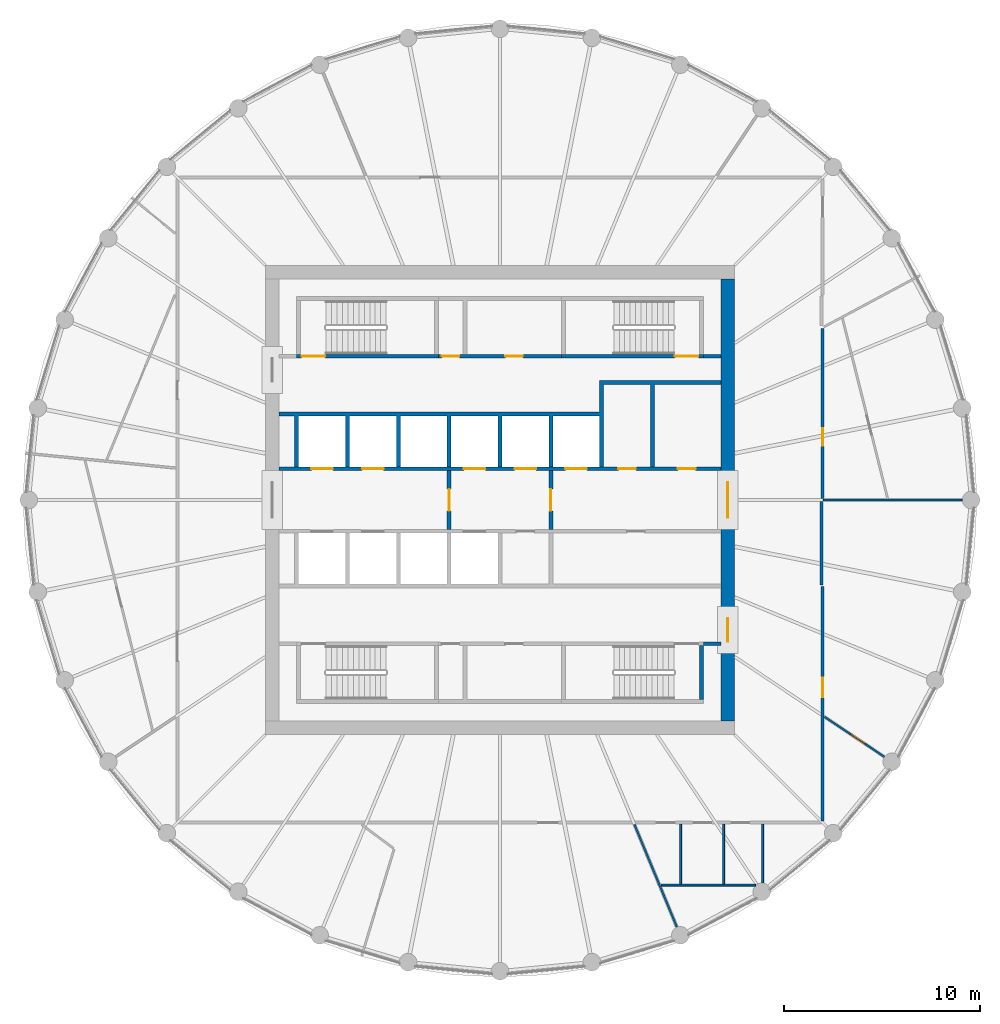
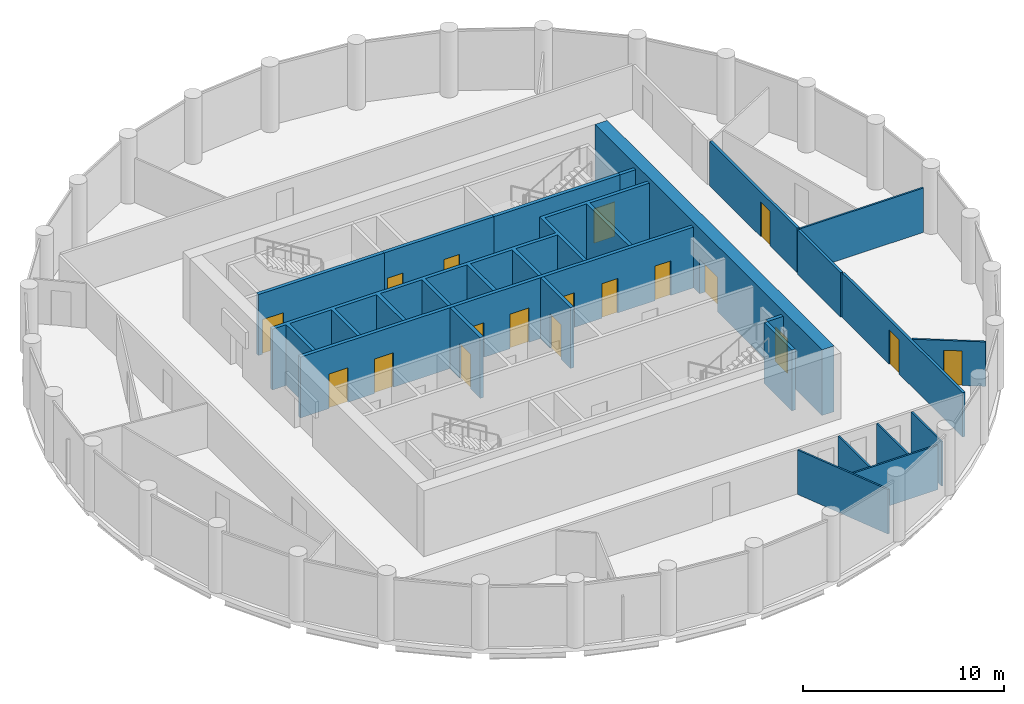
# One storey, part 5 of 7: 21 walls, 18 doors, 18 openings.
"""IFC4 building model written with IfcOpenShell, lengths in metres."""

from ifc_helpers import new_model, si_unit, direction, frame, frame_2d, origin, place, context, subcontext, project, spatial, polyline, rectangle, outline, extrude, material, layer, layer_set, type_object, element, fill, save


model = new_model("IFC4")

# Units and contexts
model_context = context("Model", 3, precision=1e-05, world=origin(), true_north=direction((0.0, 1.0)))
body_context = subcontext(model_context, "Body", "Model", "MODEL_VIEW")
ifc_project = project(units=[si_unit("LENGTHUNIT", "METRE"), si_unit("AREAUNIT", "SQUARE_METRE"), si_unit("VOLUMEUNIT", "CUBIC_METRE"), si_unit("PLANEANGLEUNIT", "RADIAN"), si_unit("MASSUNIT", "GRAM", prefix="KILO")], contexts=[model_context])

# Site, building, storey
site_placement = place(None, origin())
site = spatial("IfcSite", under=ifc_project, at=site_placement, CompositionType="ELEMENT")
building_placement = place(site_placement, origin())
building = spatial("IfcBuilding", under=site, at=building_placement, Name="Corvane Civic Tower", CompositionType="ELEMENT")
storey_placement = place(building_placement, frame((0.0, 0.0, 275.0)))
storey = spatial("IfcBuildingStorey", under=building, at=storey_placement, Name="L65", CompositionType="ELEMENT", Elevation=275.0)

# Wall, openings, doors
ifc_material_1 = material(Name="Concrete C40/50", Category="concrete")
ifc_layer_1 = layer(ifc_material_1, 0.699951171875)
ifc_layer_set_1 = layer_set([ifc_layer_1], Name="Concrete C40/50")
wall_type_1 = type_object("IfcWallType", Name="CORE WALL 700 C40/50", PredefinedType="SHEAR", material=ifc_layer_set_1)
wall_1_placement = place(storey_placement, frame((11.64990234375, -11.300048828125, 0.0), z_axis=(0.0, 0.0, 1.0), x_axis=(0.0, 1.0, 0.0)))
wall_1 = element("IfcWall", 1, at=wall_1_placement, inside=storey, type_object=wall_type_1, Name="W-L65-core-E", PredefinedType="SHEAR", context=body_context, shape_type="SweptSolid", body=[
    extrude(rectangle(XDim=22.60009765625, YDim=0.699951171875, at=frame_2d((11.300048828125, 0.0))), origin(), (0.0, 0.0, 1.0), 4.0),
])
opening_1_placement = place(wall_1_placement, frame((10.39990234375, 0.0, 0.0)))
opening_1 = element("IfcOpeningElement", 2, at=opening_1_placement, cuts=wall_1, Name="Opening L65.C16", PredefinedType="OPENING", context=body_context, shape_type="SweptSolid", body=[
    extrude(rectangle(XDim=1.800048828125, YDim=2.10009765625, at=frame_2d((0.89990234375, 1.050048828125))), frame((0.0, 0.35986328125, 0.0), z_axis=(0.0, -1.0, 0.0), x_axis=(1.0, 0.0, 0.0)), (0.0, 0.0, 1.0), 0.719970703125),
])
opening_2_placement = place(wall_1_placement, frame((4.050048828125, 0.0, 0.0)))
opening_2 = element("IfcOpeningElement", 3, at=opening_2_placement, cuts=wall_1, Name="Opening L65.C18", PredefinedType="OPENING", context=body_context, shape_type="SweptSolid", body=[
    extrude(rectangle(XDim=1.199951171875, YDim=2.10009765625, at=frame_2d((0.60009765625, 1.050048828125))), frame((0.0, 0.35986328125, 0.0), z_axis=(0.0, -1.0, 0.0), x_axis=(1.0, 0.0, 0.0)), (0.0, 0.0, 1.0), 0.719970703125),
])
ifc_material_2 = material(Name="Steel fire door leaf", Category="steel")
door_type_1 = type_object("IfcDoorType", Name="CR-DOOR-CORE-1800", OperationType="DOUBLE_DOOR_SINGLE_SWING", PredefinedType="DOOR", material=ifc_material_2)
door_1_placement = place(opening_1_placement, origin())
door_1 = element("IfcDoor", 4, at=door_1_placement, inside=storey, type_object=door_type_1, Name="L65 door", OperationType="DOUBLE_DOOR_SINGLE_SWING", OverallHeight=2.10009765625, OverallWidth=1.800048828125, PredefinedType="DOOR", context=body_context, shape_type="SweptSolid", body=[
    extrude(rectangle(XDim=1.800048828125, YDim=2.10009765625, at=frame_2d((0.89990234375, 1.050048828125))), frame((0.0, 0.02490234375, 0.0), z_axis=(0.0, -1.0, 0.0), x_axis=(1.0, 0.0, 0.0)), (0.0, 0.0, 1.0), 0.050048828125),
])
fill(opening_1, door_1)
door_2_placement = place(opening_2_placement, origin())
door_2 = element("IfcDoor", 5, at=door_2_placement, inside=storey, type_object=door_type_1, Name="L65 door", OperationType="DOUBLE_DOOR_SINGLE_SWING", OverallHeight=2.10009765625, OverallWidth=1.199951171875, PredefinedType="DOOR", context=body_context, shape_type="SweptSolid", body=[
    extrude(rectangle(XDim=1.199951171875, YDim=2.10009765625, at=frame_2d((0.60009765625, 1.050048828125))), frame((0.0, 0.02490234375, 0.0), z_axis=(0.0, -1.0, 0.0), x_axis=(1.0, 0.0, 0.0)), (0.0, 0.0, 1.0), 0.050048828125),
])
fill(opening_2, door_2)

ifc_material_3 = material(Name="Concrete C30/37", Category="concrete")
ifc_layer_2 = layer(ifc_material_3, 0.199951171875)
ifc_layer_set_2 = layer_set([ifc_layer_2], Name="Concrete C30/37")
wall_type_2 = type_object("IfcWallType", Name="CR-WALL-200", PredefinedType="PARTITIONING", material=ifc_layer_set_2)
wall_2_placement = place(storey_placement, frame((-11.300048828125, 1.60009765625, 0.0), z_axis=(0.0, 0.0, 1.0), x_axis=(1.0, 0.0, 0.0)))
wall_2 = element("IfcWall", 6, at=wall_2_placement, inside=storey, type_object=wall_type_2, Name="L65 lift shaft wall", PredefinedType="PARTITIONING", context=body_context, shape_type="SweptSolid", body=[
    extrude(rectangle(XDim=22.60009765625, YDim=0.199951171875, at=frame_2d((11.300048828125, 0.0))), origin(), (0.0, 0.0, 1.0), 3.699951171875),
])
opening_3_placement = place(wall_2_placement, frame((1.64990234375, 0.0, 0.0)))
opening_3 = element("IfcOpeningElement", 7, at=opening_3_placement, cuts=wall_2, Name="Opening LD", PredefinedType="OPENING", context=body_context, shape_type="SweptSolid", body=[
    extrude(rectangle(XDim=1.10009765625, YDim=2.10009765625, at=frame_2d((0.550048828125, 1.050048828125))), frame((0.0, 0.10986328125, 0.0), z_axis=(0.0, -1.0, 0.0), x_axis=(1.0, 0.0, 0.0)), (0.0, 0.0, 1.0), 0.219970703125),
])
opening_4_placement = place(wall_2_placement, frame((4.25, 0.0, 0.0)))
opening_4 = element("IfcOpeningElement", 8, at=opening_4_placement, cuts=wall_2, Name="Opening LD", PredefinedType="OPENING", context=body_context, shape_type="SweptSolid", body=[
    extrude(rectangle(XDim=1.10009765625, YDim=2.10009765625, at=frame_2d((0.550048828125, 1.050048828125))), frame((0.0, 0.10986328125, 0.0), z_axis=(0.0, -1.0, 0.0), x_axis=(1.0, 0.0, 0.0)), (0.0, 0.0, 1.0), 0.219970703125),
])
opening_5_placement = place(wall_2_placement, frame((9.449951171875, 0.0, 0.0)))
opening_5 = element("IfcOpeningElement", 9, at=opening_5_placement, cuts=wall_2, Name="Opening LD", PredefinedType="OPENING", context=body_context, shape_type="SweptSolid", body=[
    extrude(rectangle(XDim=1.10009765625, YDim=2.10009765625, at=frame_2d((0.550048828125, 1.050048828125))), frame((0.0, 0.10986328125, 0.0), z_axis=(0.0, -1.0, 0.0), x_axis=(1.0, 0.0, 0.0)), (0.0, 0.0, 1.0), 0.219970703125),
])
opening_6_placement = place(wall_2_placement, frame((12.050048828125, 0.0, 0.0)))
opening_6 = element("IfcOpeningElement", 10, at=opening_6_placement, cuts=wall_2, Name="Opening LD", PredefinedType="OPENING", context=body_context, shape_type="SweptSolid", body=[
    extrude(rectangle(XDim=1.10009765625, YDim=2.10009765625, at=frame_2d((0.550048828125, 1.050048828125))), frame((0.0, 0.10986328125, 0.0), z_axis=(0.0, -1.0, 0.0), x_axis=(1.0, 0.0, 0.0)), (0.0, 0.0, 1.0), 0.219970703125),
])
opening_7_placement = place(wall_2_placement, frame((14.64990234375, 0.0, 0.0)))
opening_7 = element("IfcOpeningElement", 11, at=opening_7_placement, cuts=wall_2, Name="Opening LD", PredefinedType="OPENING", context=body_context, shape_type="SweptSolid", body=[
    extrude(rectangle(XDim=1.10009765625, YDim=2.10009765625, at=frame_2d((0.550048828125, 1.050048828125))), frame((0.0, 0.10986328125, 0.0), z_axis=(0.0, -1.0, 0.0), x_axis=(1.0, 0.0, 0.0)), (0.0, 0.0, 1.0), 0.219970703125),
])
opening_8_placement = place(wall_2_placement, frame((17.35009765625, 0.0, 0.0)))
opening_8 = element("IfcOpeningElement", 12, at=opening_8_placement, cuts=wall_2, Name="Opening L65.C01", PredefinedType="OPENING", context=body_context, shape_type="SweptSolid", body=[
    extrude(rectangle(XDim=0.89990234375, YDim=2.10009765625, at=frame_2d((0.449951171875, 1.050048828125))), frame((0.0, 0.10986328125, 0.0), z_axis=(0.0, -1.0, 0.0), x_axis=(1.0, 0.0, 0.0)), (0.0, 0.0, 1.0), 0.219970703125),
])
opening_9_placement = place(wall_2_placement, frame((20.39990234375, 0.0, 0.0)))
opening_9 = element("IfcOpeningElement", 13, at=opening_9_placement, cuts=wall_2, Name="Opening L65.C02", PredefinedType="OPENING", context=body_context, shape_type="SweptSolid", body=[
    extrude(rectangle(XDim=0.89990234375, YDim=2.10009765625, at=frame_2d((0.449951171875, 1.050048828125))), frame((0.0, 0.10986328125, 0.0), z_axis=(0.0, -1.0, 0.0), x_axis=(1.0, 0.0, 0.0)), (0.0, 0.0, 1.0), 0.219970703125),
])
ifc_material_4 = material(Name="Steel fire door leaf", Category="steel")
door_type_2 = type_object("IfcDoorType", Name="CR-DOOR-900", OperationType="SINGLE_SWING_LEFT", PredefinedType="DOOR", material=ifc_material_4)
door_3_placement = place(opening_8_placement, origin())
door_3 = element("IfcDoor", 14, at=door_3_placement, inside=storey, type_object=door_type_2, Name="L65 door", OperationType="SINGLE_SWING_LEFT", OverallHeight=2.10009765625, OverallWidth=0.89990234375, PredefinedType="DOOR", context=body_context, shape_type="SweptSolid", body=[
    extrude(rectangle(XDim=0.89990234375, YDim=2.10009765625, at=frame_2d((0.449951171875, 1.050048828125))), frame((0.0, 0.02490234375, 0.0), z_axis=(0.0, -1.0, 0.0), x_axis=(1.0, 0.0, 0.0)), (0.0, 0.0, 1.0), 0.050048828125),
])
fill(opening_8, door_3)
door_4_placement = place(opening_9_placement, origin())
door_4 = element("IfcDoor", 15, at=door_4_placement, inside=storey, type_object=door_type_2, Name="L65 door", OperationType="SINGLE_SWING_LEFT", OverallHeight=2.10009765625, OverallWidth=0.89990234375, PredefinedType="DOOR", context=body_context, shape_type="SweptSolid", body=[
    extrude(rectangle(XDim=0.89990234375, YDim=2.10009765625, at=frame_2d((0.449951171875, 1.050048828125))), frame((0.0, 0.02490234375, 0.0), z_axis=(0.0, -1.0, 0.0), x_axis=(1.0, 0.0, 0.0)), (0.0, 0.0, 1.0), 0.050048828125),
])
fill(opening_9, door_4)
ifc_material_5 = material(Name="Stainless steel 316 door leaves", Category="steel")
door_type_3 = type_object("IfcDoorType", Name="LD", OperationType="DOUBLE_DOOR_SLIDING", PredefinedType="DOOR", material=ifc_material_5)
door_5_placement = place(opening_3_placement, origin())
door_5 = element("IfcDoor", 16, at=door_5_placement, inside=storey, type_object=door_type_3, Name="L65 landing door", OperationType="DOUBLE_DOOR_SLIDING", OverallHeight=2.10009765625, OverallWidth=1.10009765625, PredefinedType="DOOR", context=body_context, shape_type="SweptSolid", body=[
    extrude(rectangle(XDim=1.10009765625, YDim=2.10009765625, at=frame_2d((0.550048828125, 1.050048828125))), frame((0.0, 0.02490234375, 0.0), z_axis=(0.0, -1.0, 0.0), x_axis=(1.0, 0.0, 0.0)), (0.0, 0.0, 1.0), 0.050048828125),
])
fill(opening_3, door_5)
door_6_placement = place(opening_4_placement, origin())
door_6 = element("IfcDoor", 17, at=door_6_placement, inside=storey, type_object=door_type_3, Name="L65 landing door", OperationType="DOUBLE_DOOR_SLIDING", OverallHeight=2.10009765625, OverallWidth=1.10009765625, PredefinedType="DOOR", context=body_context, shape_type="SweptSolid", body=[
    extrude(rectangle(XDim=1.10009765625, YDim=2.10009765625, at=frame_2d((0.550048828125, 1.050048828125))), frame((0.0, 0.02490234375, 0.0), z_axis=(0.0, -1.0, 0.0), x_axis=(1.0, 0.0, 0.0)), (0.0, 0.0, 1.0), 0.050048828125),
])
fill(opening_4, door_6)
door_7_placement = place(opening_5_placement, origin())
door_7 = element("IfcDoor", 18, at=door_7_placement, inside=storey, type_object=door_type_3, Name="L65 landing door", OperationType="DOUBLE_DOOR_SLIDING", OverallHeight=2.10009765625, OverallWidth=1.10009765625, PredefinedType="DOOR", context=body_context, shape_type="SweptSolid", body=[
    extrude(rectangle(XDim=1.10009765625, YDim=2.10009765625, at=frame_2d((0.550048828125, 1.050048828125))), frame((0.0, 0.02490234375, 0.0), z_axis=(0.0, -1.0, 0.0), x_axis=(1.0, 0.0, 0.0)), (0.0, 0.0, 1.0), 0.050048828125),
])
fill(opening_5, door_7)
door_8_placement = place(opening_6_placement, origin())
door_8 = element("IfcDoor", 19, at=door_8_placement, inside=storey, type_object=door_type_3, Name="L65 landing door", OperationType="DOUBLE_DOOR_SLIDING", OverallHeight=2.10009765625, OverallWidth=1.10009765625, PredefinedType="DOOR", context=body_context, shape_type="SweptSolid", body=[
    extrude(rectangle(XDim=1.10009765625, YDim=2.10009765625, at=frame_2d((0.550048828125, 1.050048828125))), frame((0.0, 0.02490234375, 0.0), z_axis=(0.0, -1.0, 0.0), x_axis=(1.0, 0.0, 0.0)), (0.0, 0.0, 1.0), 0.050048828125),
])
fill(opening_6, door_8)
door_9_placement = place(opening_7_placement, origin())
door_9 = element("IfcDoor", 20, at=door_9_placement, inside=storey, type_object=door_type_3, Name="L65 landing door", OperationType="DOUBLE_DOOR_SLIDING", OverallHeight=2.10009765625, OverallWidth=1.10009765625, PredefinedType="DOOR", context=body_context, shape_type="SweptSolid", body=[
    extrude(rectangle(XDim=1.10009765625, YDim=2.10009765625, at=frame_2d((0.550048828125, 1.050048828125))), frame((0.0, 0.02490234375, 0.0), z_axis=(0.0, -1.0, 0.0), x_axis=(1.0, 0.0, 0.0)), (0.0, 0.0, 1.0), 0.050048828125),
])
fill(opening_7, door_9)

wall_3_placement = place(storey_placement, frame((-3.14990234375, 7.35009765625, 0.0), z_axis=(0.0, 0.0, 1.0), x_axis=(1.0, 0.0, 0.0)))
wall_3 = element("IfcWall", 21, at=wall_3_placement, inside=storey, type_object=wall_type_2, Name="L65 core partition wall", PredefinedType="PARTITIONING", context=body_context, shape_type="SweptSolid", body=[
    extrude(rectangle(XDim=6.2998046875, YDim=0.199951171875, at=frame_2d((3.14990234375, 0.0))), origin(), (0.0, 0.0, 1.0), 3.699951171875),
])
opening_10_placement = place(wall_3_placement, frame((0.175048828125, 0.0, 0.0)))
opening_10 = element("IfcOpeningElement", 22, at=opening_10_placement, cuts=wall_3, Name="Opening L65.C05", PredefinedType="OPENING", context=body_context, shape_type="SweptSolid", body=[
    extrude(rectangle(XDim=0.89990234375, YDim=2.10009765625, at=frame_2d((0.449951171875, 1.050048828125))), frame((0.0, 0.10986328125, 0.0), z_axis=(0.0, -1.0, 0.0), x_axis=(1.0, 0.0, 0.0)), (0.0, 0.0, 1.0), 0.219970703125),
])
opening_11_placement = place(wall_3_placement, frame((3.425048828125, 0.0, 0.0)))
opening_11 = element("IfcOpeningElement", 23, at=opening_11_placement, cuts=wall_3, Name="Opening L65.C06", PredefinedType="OPENING", context=body_context, shape_type="SweptSolid", body=[
    extrude(rectangle(XDim=0.89990234375, YDim=2.10009765625, at=frame_2d((0.449951171875, 1.050048828125))), frame((0.0, 0.10986328125, 0.0), z_axis=(0.0, -1.0, 0.0), x_axis=(1.0, 0.0, 0.0)), (0.0, 0.0, 1.0), 0.219970703125),
])
door_10_placement = place(opening_10_placement, origin())
door_10 = element("IfcDoor", 24, at=door_10_placement, inside=storey, type_object=door_type_2, Name="L65 door", OperationType="SINGLE_SWING_LEFT", OverallHeight=2.10009765625, OverallWidth=0.89990234375, PredefinedType="DOOR", context=body_context, shape_type="SweptSolid", body=[
    extrude(rectangle(XDim=0.89990234375, YDim=2.10009765625, at=frame_2d((0.449951171875, 1.050048828125))), frame((0.0, 0.02490234375, 0.0), z_axis=(0.0, -1.0, 0.0), x_axis=(1.0, 0.0, 0.0)), (0.0, 0.0, 1.0), 0.050048828125),
])
fill(opening_10, door_10)
door_11_placement = place(opening_11_placement, origin())
door_11 = element("IfcDoor", 25, at=door_11_placement, inside=storey, type_object=door_type_2, Name="L65 door", OperationType="SINGLE_SWING_LEFT", OverallHeight=2.10009765625, OverallWidth=0.89990234375, PredefinedType="DOOR", context=body_context, shape_type="SweptSolid", body=[
    extrude(rectangle(XDim=0.89990234375, YDim=2.10009765625, at=frame_2d((0.449951171875, 1.050048828125))), frame((0.0, 0.02490234375, 0.0), z_axis=(0.0, -1.0, 0.0), x_axis=(1.0, 0.0, 0.0)), (0.0, 0.0, 1.0), 0.050048828125),
])
fill(opening_11, door_11)

# Wall, opening, door
wall_4_placement = place(storey_placement, frame((-2.60009765625, -1.5, 0.0), z_axis=(0.0, 0.0, 1.0), x_axis=(0.0, 1.0, 0.0)))
wall_4 = element("IfcWall", 26, at=wall_4_placement, inside=storey, type_object=wall_type_2, Name="L65 firefighting lobby wall", PredefinedType="PARTITIONING", context=body_context, shape_type="SweptSolid", body=[
    extrude(rectangle(XDim=3.0, YDim=0.199951171875, at=frame_2d((1.5, 0.0))), origin(), (0.0, 0.0, 1.0), 3.699951171875),
])
opening_12_placement = place(wall_4_placement, frame((0.949951171875, 0.0, 0.0)))
opening_12 = element("IfcOpeningElement", 27, at=opening_12_placement, cuts=wall_4, Name="Opening L65.C13", PredefinedType="OPENING", context=body_context, shape_type="SweptSolid", body=[
    extrude(rectangle(XDim=1.10009765625, YDim=2.10009765625, at=frame_2d((0.550048828125, 1.050048828125))), frame((0.0, 0.10986328125, 0.0), z_axis=(0.0, -1.0, 0.0), x_axis=(1.0, 0.0, 0.0)), (0.0, 0.0, 1.0), 0.219970703125),
])
ifc_material_6 = material(Name="Steel fire door leaf", Category="steel")
door_type_4 = type_object("IfcDoorType", Name="CR-DOOR-FFL-1100", OperationType="SINGLE_SWING_LEFT", PredefinedType="DOOR", material=ifc_material_6)
door_12_placement = place(opening_12_placement, origin())
door_12 = element("IfcDoor", 28, at=door_12_placement, inside=storey, type_object=door_type_4, Name="L65 lobby door", OperationType="SINGLE_SWING_LEFT", OverallHeight=2.10009765625, OverallWidth=1.10009765625, PredefinedType="DOOR", context=body_context, shape_type="SweptSolid", body=[
    extrude(rectangle(XDim=1.10009765625, YDim=2.10009765625, at=frame_2d((0.550048828125, 1.050048828125))), frame((0.0, 0.02490234375, 0.0), z_axis=(0.0, -1.0, 0.0), x_axis=(1.0, 0.0, 0.0)), (0.0, 0.0, 1.0), 0.050048828125),
])
fill(opening_12, door_12)

wall_5_placement = place(storey_placement, frame((2.60009765625, -1.5, 0.0), z_axis=(0.0, 0.0, 1.0), x_axis=(0.0, 1.0, 0.0)))
wall_5 = element("IfcWall", 29, at=wall_5_placement, inside=storey, type_object=wall_type_2, Name="L65 firefighting lobby wall", PredefinedType="PARTITIONING", context=body_context, shape_type="SweptSolid", body=[
    extrude(rectangle(XDim=3.0, YDim=0.199951171875, at=frame_2d((1.5, 0.0))), origin(), (0.0, 0.0, 1.0), 3.699951171875),
])
opening_13_placement = place(wall_5_placement, frame((0.949951171875, 0.0, 0.0)))
opening_13 = element("IfcOpeningElement", 30, at=opening_13_placement, cuts=wall_5, Name="Opening L65.C14", PredefinedType="OPENING", context=body_context, shape_type="SweptSolid", body=[
    extrude(rectangle(XDim=1.10009765625, YDim=2.10009765625, at=frame_2d((0.550048828125, 1.050048828125))), frame((0.0, 0.10986328125, 0.0), z_axis=(0.0, -1.0, 0.0), x_axis=(1.0, 0.0, 0.0)), (0.0, 0.0, 1.0), 0.219970703125),
])
door_13_placement = place(opening_13_placement, origin())
door_13 = element("IfcDoor", 31, at=door_13_placement, inside=storey, type_object=door_type_4, Name="L65 lobby door", OperationType="SINGLE_SWING_LEFT", OverallHeight=2.10009765625, OverallWidth=1.10009765625, PredefinedType="DOOR", context=body_context, shape_type="SweptSolid", body=[
    extrude(rectangle(XDim=1.10009765625, YDim=2.10009765625, at=frame_2d((0.550048828125, 1.050048828125))), frame((0.0, 0.02490234375, 0.0), z_axis=(0.0, -1.0, 0.0), x_axis=(1.0, 0.0, 0.0)), (0.0, 0.0, 1.0), 0.050048828125),
])
fill(opening_13, door_13)

# Walls
wall_6_placement = place(storey_placement, origin())
element("IfcWall", 32, at=wall_6_placement, inside=storey, type_object=wall_type_2, Name="L65 core partition wall", PredefinedType="PARTITIONING", context=body_context, shape_type="SweptSolid", body=[
    extrude(outline(polyline([(-10.5, 1.699951171875), (-10.5, 4.300048828125), (-11.300048828125, 4.300048828125), (-11.300048828125, 4.5), (5.10009765625, 4.5), (5.10009765625, 6.10009765625), (11.300048828125, 6.10009765625), (11.300048828125, 5.89990234375), (7.89990234375, 5.89990234375), (7.89990234375, 1.699951171875), (7.699951171875, 1.699951171875), (7.699951171875, 5.89990234375), (5.300048828125, 5.89990234375), (5.300048828125, 1.699951171875), (5.10009765625, 1.699951171875), (5.10009765625, 4.300048828125), (2.699951171875, 4.300048828125), (2.699951171875, 1.699951171875), (2.5, 1.699951171875), (2.5, 4.300048828125), (0.10009765625, 4.300048828125), (0.10009765625, 1.699951171875), (-0.10009765625, 1.699951171875), (-0.10009765625, 4.300048828125), (-2.5, 4.300048828125), (-2.5, 1.699951171875), (-2.699951171875, 1.699951171875), (-2.699951171875, 4.300048828125), (-5.10009765625, 4.300048828125), (-5.10009765625, 1.699951171875), (-5.300048828125, 1.699951171875), (-5.300048828125, 4.300048828125), (-7.699951171875, 4.300048828125), (-7.699951171875, 1.699951171875), (-7.89990234375, 1.699951171875), (-7.89990234375, 4.300048828125), (-10.300048828125, 4.300048828125), (-10.300048828125, 1.699951171875), (-10.5, 1.699951171875)])), origin(), (0.0, 0.0, 1.0), 3.699951171875),
])
wall_7_placement = place(storey_placement, origin())
element("IfcWall", 33, at=wall_7_placement, inside=storey, type_object=wall_type_2, Name="L65 core partition wall", PredefinedType="PARTITIONING", context=body_context, shape_type="SweptSolid", body=[
    extrude(outline(polyline([(11.300048828125, -7.449951171875), (10.39990234375, -7.449951171875), (10.39990234375, -7.25), (11.300048828125, -7.25), (11.300048828125, -7.449951171875)])), origin(), (0.0, 0.0, 1.0), 3.699951171875),
])
wall_8_placement = place(storey_placement, origin())
element("IfcWall", 34, at=wall_8_placement, inside=storey, type_object=wall_type_2, Name="L65 core partition wall", PredefinedType="PARTITIONING", context=body_context, shape_type="SweptSolid", body=[
    extrude(outline(polyline([(10.39990234375, 7.25), (10.39990234375, 7.449951171875), (11.300048828125, 7.449951171875), (11.300048828125, 7.25), (10.39990234375, 7.25)])), origin(), (0.0, 0.0, 1.0), 3.699951171875),
])
ifc_material_7 = material(Name="Plasterboard")
ifc_layer_3 = layer(ifc_material_7, 0.10009765625)
ifc_layer_set_3 = layer_set([ifc_layer_3], Name="Plasterboard")
wall_type_3 = type_object("IfcWallType", Name="Partition 100 plasterboard on studs", PredefinedType="PARTITIONING", material=ifc_layer_set_3)
wall_9_placement = place(storey_placement, frame((6.87353515625, -16.593994140625, 0.0), z_axis=(0.0, 0.0, 1.0), x_axis=(0.382682139097, -0.9238800682, 0.0)))
element("IfcWall", 35, at=wall_9_placement, inside=storey, type_object=wall_type_3, Name="Partition L65.002", PredefinedType="PARTITIONING", context=body_context, shape_type="SweptSolid", body=[
    extrude(rectangle(XDim=5.6787109375, YDim=0.10009765625, at=frame_2d((2.83935546875, 0.0))), origin(), (0.0, 0.0, 1.0), 2.699951171875),
])
wall_10_placement = place(storey_placement, frame((8.23486328125, -19.699951171875, 0.0), z_axis=(0.0, 0.0, 1.0), x_axis=(1.0, 0.0, 0.0)))
element("IfcWall", 36, at=wall_10_placement, inside=storey, type_object=wall_type_3, Name="Partition L65.003", PredefinedType="PARTITIONING", context=body_context, shape_type="SweptSolid", body=[
    extrude(rectangle(XDim=4.843505859375, YDim=0.10009765625, at=frame_2d((2.421875, 0.0))), origin(), (0.0, 0.0, 1.0), 2.699951171875),
])
for number, where, z_axis, x_axis, name in (
    (37, (9.234619140625, -19.64990234375, 0.0), (0.0, 0.0, 1.0), (0.0, 1.0, 0.0), "Partition L65.004"),
    (38, (11.4345703125, -19.64990234375, 0.0), (0.0, 0.0, 1.0), (0.0, 1.0, 0.0), "Partition L65.005"),
):
    element("IfcWall", number, at=place(storey_placement, frame(where, z_axis=z_axis, x_axis=x_axis)), inside=storey, type_object=wall_type_3, Name=name, PredefinedType="PARTITIONING", context=body_context, shape_type="SweptSolid", body=[
        extrude(rectangle(XDim=3.074951171875, YDim=0.10009765625, at=frame_2d((1.53759765625, 0.0))), origin(), (0.0, 0.0, 1.0), 2.699951171875),
    ])
wall_11_placement = place(storey_placement, frame((13.4345703125, -19.58056640625, 0.0), z_axis=(0.0, 0.0, 1.0), x_axis=(0.0, 1.0, 0.0)))
element("IfcWall", 39, at=wall_11_placement, inside=storey, type_object=wall_type_3, Name="Partition L65.006", PredefinedType="PARTITIONING", context=body_context, shape_type="SweptSolid", body=[
    extrude(rectangle(XDim=3.005615234375, YDim=0.10009765625, at=frame_2d((1.5029296875, 0.0))), origin(), (0.0, 0.0, 1.0), 2.699951171875),
])

# Wall, opening, door
wall_12_placement = place(storey_placement, frame((16.602783203125, -11.093505859375, 0.0), z_axis=(0.0, 0.0, 1.0), x_axis=(0.831477046095, -0.555559107402, 0.0)))
wall_12 = element("IfcWall", 40, at=wall_12_placement, inside=storey, type_object=wall_type_3, Name="Partition L65.012", PredefinedType="PARTITIONING", context=body_context, shape_type="SweptSolid", body=[
    extrude(rectangle(XDim=3.672119140625, YDim=0.10009765625, at=frame_2d((1.8359375, 0.0))), origin(), (0.0, 0.0, 1.0), 2.699951171875),
])
opening_14_placement = place(wall_12_placement, frame((1.5791015625, 0.0, 0.0)))
opening_14 = element("IfcOpeningElement", 41, at=opening_14_placement, cuts=wall_12, Name="Opening L65.011", PredefinedType="OPENING", context=body_context, shape_type="SweptSolid", body=[
    extrude(rectangle(XDim=0.89990234375, YDim=2.10009765625, at=frame_2d((0.449951171875, 1.050048828125))), frame((0.0, 0.06005859375, 0.0), z_axis=(0.0, -1.0, 0.0), x_axis=(1.0, 0.0, 0.0)), (0.0, 0.0, 1.0), 0.1201171875),
])
ifc_material_8 = material(Name="Timber", Category="wood")
door_type_5 = type_object("IfcDoorType", Name="Single door 900", OperationType="NOTDEFINED", PredefinedType="DOOR", material=ifc_material_8)
door_14_placement = place(opening_14_placement, frame((0.89990234375, 0.0, 0.0), z_axis=(0.0, 0.0, 1.0), x_axis=(-1.0, 0.0, 0.0)))
door_14 = element("IfcDoor", 42, at=door_14_placement, inside=storey, type_object=door_type_5, Name="Door L65.011", OperationType="SINGLE_SWING_LEFT", OverallHeight=2.10009765625, OverallWidth=0.89990234375, PredefinedType="DOOR", context=body_context, shape_type="SweptSolid", body=[
    extrude(rectangle(XDim=0.89990234375, YDim=2.10009765625, at=frame_2d((0.449951171875, 1.050048828125))), frame((0.0, 0.02490234375, 0.0), z_axis=(0.0, -1.0, 0.0), x_axis=(1.0, 0.0, 0.0)), (0.0, 0.0, 1.0), 0.050048828125),
])
fill(opening_14, door_14)

# Wall
wall_13_placement = place(storey_placement, frame((16.5400390625, 0.0, 0.0), z_axis=(0.0, 0.0, 1.0), x_axis=(1.0, 0.0, 0.0)))
element("IfcWall", 43, at=wall_13_placement, inside=storey, type_object=wall_type_3, Name="Partition L65.015", PredefinedType="PARTITIONING", context=body_context, shape_type="SweptSolid", body=[
    extrude(rectangle(XDim=7.10009765625, YDim=0.10009765625, at=frame_2d((3.550048828125, 0.0))), origin(), (0.0, 0.0, 1.0), 2.699951171875),
])

# Wall, opening, door
ifc_material_9 = material(Name="Concrete C50/60", Category="concrete")
ifc_layer_4 = layer(ifc_material_9, 0.199951171875)
ifc_layer_set_4 = layer_set([ifc_layer_4], Name="Concrete C50/60")
wall_type_4 = type_object("IfcWallType", Name="ST-WALL-200", PredefinedType="SHEAR", material=ifc_layer_set_4)
wall_14_placement = place(storey_placement, frame((-10.39990234375, 7.35009765625, 0.0), z_axis=(0.0, 0.0, 1.0), x_axis=(1.0, 0.0, 0.0)))
wall_14 = element("IfcWall", 44, at=wall_14_placement, inside=storey, type_object=wall_type_4, Name="L65 stair enclosure wall", PredefinedType="SHEAR", context=body_context, shape_type="SweptSolid", body=[
    extrude(rectangle(XDim=7.25, YDim=0.199951171875, at=frame_2d((3.625, 0.0))), origin(), (0.0, 0.0, 1.0), 3.699951171875),
])
opening_15_placement = place(wall_14_placement, frame((0.25, 0.0, 0.0)))
opening_15 = element("IfcOpeningElement", 45, at=opening_15_placement, cuts=wall_14, Name="Opening L65.C10", PredefinedType="OPENING", context=body_context, shape_type="SweptSolid", body=[
    extrude(rectangle(XDim=1.199951171875, YDim=2.10009765625, at=frame_2d((0.60009765625, 1.050048828125))), frame((0.0, 0.10986328125, 0.0), z_axis=(0.0, -1.0, 0.0), x_axis=(1.0, 0.0, 0.0)), (0.0, 0.0, 1.0), 0.219970703125),
])
ifc_material_10 = material(Name="Steel fire door leaf", Category="steel")
door_type_6 = type_object("IfcDoorType", Name="ST-DOOR-1200", OperationType="SINGLE_SWING_RIGHT", PredefinedType="DOOR", material=ifc_material_10)
door_15_placement = place(opening_15_placement, origin())
door_15 = element("IfcDoor", 46, at=door_15_placement, inside=storey, type_object=door_type_6, Name="L65 stair door", OperationType="SINGLE_SWING_RIGHT", OverallHeight=2.10009765625, OverallWidth=1.199951171875, PredefinedType="DOOR", context=body_context, shape_type="SweptSolid", body=[
    extrude(rectangle(XDim=1.199951171875, YDim=2.10009765625, at=frame_2d((0.60009765625, 1.050048828125))), frame((0.0, 0.02490234375, 0.0), z_axis=(0.0, -1.0, 0.0), x_axis=(1.0, 0.0, 0.0)), (0.0, 0.0, 1.0), 0.050048828125),
])
fill(opening_15, door_15)

wall_15_placement = place(storey_placement, frame((3.14990234375, 7.35009765625, 0.0), z_axis=(0.0, 0.0, 1.0), x_axis=(1.0, 0.0, 0.0)))
wall_15 = element("IfcWall", 47, at=wall_15_placement, inside=storey, type_object=wall_type_4, Name="L65 stair enclosure wall", PredefinedType="SHEAR", context=body_context, shape_type="SweptSolid", body=[
    extrude(rectangle(XDim=7.25, YDim=0.199951171875, at=frame_2d((3.625, 0.0))), origin(), (0.0, 0.0, 1.0), 3.699951171875),
])
opening_16_placement = place(wall_15_placement, frame((5.800048828125, 0.0, 0.0)))
opening_16 = element("IfcOpeningElement", 48, at=opening_16_placement, cuts=wall_15, Name="Opening L65.C09", PredefinedType="OPENING", context=body_context, shape_type="SweptSolid", body=[
    extrude(rectangle(XDim=1.199951171875, YDim=2.10009765625, at=frame_2d((0.60009765625, 1.050048828125))), frame((0.0, 0.10986328125, 0.0), z_axis=(0.0, -1.0, 0.0), x_axis=(1.0, 0.0, 0.0)), (0.0, 0.0, 1.0), 0.219970703125),
])
door_16_placement = place(opening_16_placement, origin())
door_16 = element("IfcDoor", 49, at=door_16_placement, inside=storey, type_object=door_type_6, Name="L65 stair door", OperationType="SINGLE_SWING_RIGHT", OverallHeight=2.10009765625, OverallWidth=1.199951171875, PredefinedType="DOOR", context=body_context, shape_type="SweptSolid", body=[
    extrude(rectangle(XDim=1.199951171875, YDim=2.10009765625, at=frame_2d((0.60009765625, 1.050048828125))), frame((0.0, 0.02490234375, 0.0), z_axis=(0.0, -1.0, 0.0), x_axis=(1.0, 0.0, 0.0)), (0.0, 0.0, 1.0), 0.050048828125),
])
fill(opening_16, door_16)

# Wall
wall_16_placement = place(storey_placement, origin())
element("IfcWall", 50, at=wall_16_placement, inside=storey, type_object=wall_type_4, Name="L65 stair enclosure wall", PredefinedType="SHEAR", context=body_context, shape_type="SweptSolid", body=[
    extrude(outline(polyline([(10.39990234375, -7.449951171875), (10.39990234375, -10.199951171875), (10.199951171875, -10.199951171875), (10.199951171875, -7.449951171875), (10.39990234375, -7.449951171875)])), origin(), (0.0, 0.0, 1.0), 3.699951171875),
])

# Wall, opening, door
ifc_material_11 = material(Name="Plasterboard")
ifc_layer_5 = layer(ifc_material_11, 0.14990234375)
ifc_layer_set_5 = layer_set([ifc_layer_5], Name="Plasterboard")
wall_type_5 = type_object("IfcWallType", Name="Tenancy wall 150 EI 60", PredefinedType="PARTITIONING", material=ifc_layer_set_5)
wall_17_placement = place(storey_placement, frame((16.5, -16.425048828125, 0.0), z_axis=(0.0, 0.0, 1.0), x_axis=(0.0, 1.0, 0.0)))
wall_17 = element("IfcWall", 51, at=wall_17_placement, inside=storey, type_object=wall_type_5, Name="Partition L65.010", PredefinedType="PARTITIONING", context=body_context, shape_type="SweptSolid", body=[
    extrude(rectangle(XDim=11.999755859375, YDim=0.14990234375, at=frame_2d((6.0, 0.0))), origin(), (0.0, 0.0, 1.0), 2.699951171875),
])
opening_17_placement = place(wall_17_placement, frame((6.330322265625, 0.0, 0.0)))
opening_17 = element("IfcOpeningElement", 52, at=opening_17_placement, cuts=wall_17, Name="Opening L65.010", PredefinedType="OPENING", context=body_context, shape_type="SweptSolid", body=[
    extrude(rectangle(XDim=1.0, YDim=2.10009765625, at=frame_2d((0.5, 1.050048828125))), frame((0.0, 0.0849609375, 0.0), z_axis=(0.0, -1.0, 0.0), x_axis=(1.0, 0.0, 0.0)), (0.0, 0.0, 1.0), 0.169921875),
])
ifc_material_12 = material(Name="Steel and timber", Category="steel")
door_type_7 = type_object("IfcDoorType", Name="Fire door FD30S 1000", OperationType="NOTDEFINED", PredefinedType="DOOR", material=ifc_material_12)
door_17_placement = place(opening_17_placement, frame((1.0, 0.0, 0.0), z_axis=(0.0, 0.0, 1.0), x_axis=(-1.0, 0.0, 0.0)))
door_17 = element("IfcDoor", 53, at=door_17_placement, inside=storey, type_object=door_type_7, Name="Door L65.010", OperationType="SINGLE_SWING_LEFT", OverallHeight=2.10009765625, OverallWidth=1.0, PredefinedType="DOOR", context=body_context, shape_type="SweptSolid", body=[
    extrude(rectangle(XDim=1.0, YDim=2.10009765625, at=frame_2d((0.5, 1.050048828125))), frame((0.0, 0.02490234375, 0.0), z_axis=(0.0, -1.0, 0.0), x_axis=(1.0, 0.0, 0.0)), (0.0, 0.0, 1.0), 0.050048828125),
])
fill(opening_17, door_17)

# Wall
wall_18_placement = place(storey_placement, frame((16.449951171875, -4.356201171875, 0.0), z_axis=(0.0, 0.0, 1.0), x_axis=(0.0, 1.0, 0.0)))
element("IfcWall", 54, at=wall_18_placement, inside=storey, type_object=wall_type_5, Name="Partition L65.014", PredefinedType="PARTITIONING", context=body_context, shape_type="SweptSolid", body=[
    extrude(rectangle(XDim=4.28125, YDim=0.14990234375, at=frame_2d((2.140625, 0.0))), origin(), (0.0, 0.0, 1.0), 2.699951171875),
])

# Wall, opening, door
wall_19_placement = place(storey_placement, frame((16.5, 0.074951171875, 0.0), z_axis=(0.0, 0.0, 1.0), x_axis=(0.0, 1.0, 0.0)))
wall_19 = element("IfcWall", 55, at=wall_19_placement, inside=storey, type_object=wall_type_5, Name="Partition L65.017", PredefinedType="PARTITIONING", context=body_context, shape_type="SweptSolid", body=[
    extrude(rectangle(XDim=8.699462890625, YDim=0.14990234375, at=frame_2d((4.349609375, 0.0))), origin(), (0.0, 0.0, 1.0), 2.699951171875),
])
opening_18_placement = place(wall_19_placement, frame((2.70361328125, 0.0, 0.0)))
opening_18 = element("IfcOpeningElement", 56, at=opening_18_placement, cuts=wall_19, Name="Opening L65.009", PredefinedType="OPENING", context=body_context, shape_type="SweptSolid", body=[
    extrude(rectangle(XDim=0.89990234375, YDim=2.10009765625, at=frame_2d((0.449951171875, 1.050048828125))), frame((0.0, 0.0849609375, 0.0), z_axis=(0.0, -1.0, 0.0), x_axis=(1.0, 0.0, 0.0)), (0.0, 0.0, 1.0), 0.169921875),
])
ifc_material_13 = material(Name="Steel and timber", Category="steel")
door_type_8 = type_object("IfcDoorType", Name="Fire door FD30S 900", OperationType="NOTDEFINED", PredefinedType="DOOR", material=ifc_material_13)
door_18_placement = place(opening_18_placement, frame((0.89990234375, 0.0, 0.0), z_axis=(0.0, 0.0, 1.0), x_axis=(-1.0, 0.0, 0.0)))
door_18 = element("IfcDoor", 57, at=door_18_placement, inside=storey, type_object=door_type_8, Name="Door L65.009", OperationType="SINGLE_SWING_RIGHT", OverallHeight=2.10009765625, OverallWidth=0.89990234375, PredefinedType="DOOR", context=body_context, shape_type="SweptSolid", body=[
    extrude(rectangle(XDim=0.89990234375, YDim=2.10009765625, at=frame_2d((0.449951171875, 1.050048828125))), frame((0.0, 0.02490234375, 0.0), z_axis=(0.0, -1.0, 0.0), x_axis=(1.0, 0.0, 0.0)), (0.0, 0.0, 1.0), 0.050048828125),
])
fill(opening_18, door_18)

save(model, "model.ifc")
